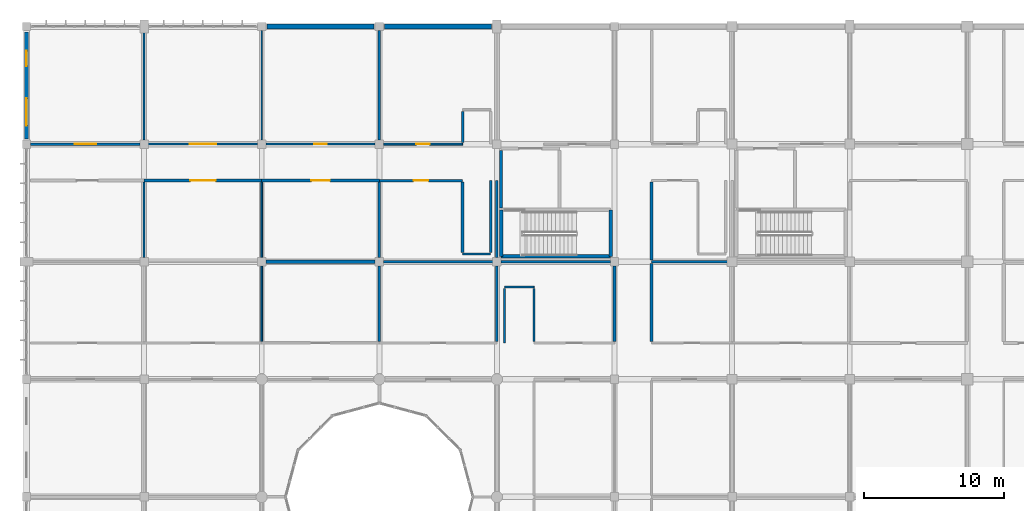
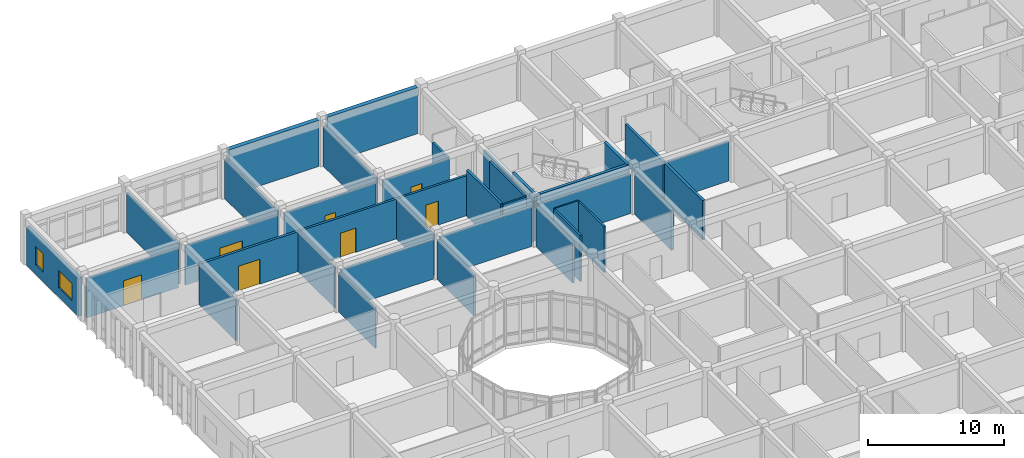
# One storey, part 109 of 144: 38 walls, 7 doors, 2 windows, 9 openings.
"""IFC4 building model written with IfcOpenShell, lengths in metres."""

from ifc_helpers import new_model, si_unit, direction, frame, frame_2d, origin, place, context, subcontext, project, spatial, rectangle, extrude, material, layer, layer_set, type_object, element, fill, save


model = new_model("IFC4")

# Units and contexts
model_context = context("Model", 3, precision=1e-05, world=origin(), true_north=direction((0.0, 1.0)))
body_context = subcontext(model_context, "Body", "Model", "MODEL_VIEW")
ifc_project = project(units=[si_unit("LENGTHUNIT", "METRE"), si_unit("AREAUNIT", "SQUARE_METRE"), si_unit("VOLUMEUNIT", "CUBIC_METRE"), si_unit("PLANEANGLEUNIT", "RADIAN"), si_unit("MASSUNIT", "GRAM", prefix="KILO")], contexts=[model_context])

# Site, building, storey
site_placement = place(None, origin())
site = spatial("IfcSite", under=ifc_project, at=site_placement, CompositionType="ELEMENT")
building_placement = place(site_placement, origin())
building = spatial("IfcBuilding", under=site, at=building_placement, Name="Bramfleet General Hospital", CompositionType="ELEMENT")
storey_placement = place(building_placement, frame((0.0, 0.0, 4.800048828125)))
storey = spatial("IfcBuildingStorey", under=building, at=storey_placement, Name="L01", CompositionType="ELEMENT", Elevation=4.800048828125)

# Walls
ifc_material_1 = material(Name="Concrete C35/45", Category="concrete")
ifc_layer_1 = layer(ifc_material_1, 0.360107421875, Name="WT-EW-02")
ifc_layer_set_1 = layer_set([ifc_layer_1], Name="Concrete C35/45")
wall_type_1 = type_object("IfcWallType", Name="WT-EW-02", PredefinedType="SOLIDWALL", material=ifc_layer_set_1)
wall_1_placement = place(storey_placement, frame((17.175048828125, 117.60009765625, 0.0), z_axis=(0.0, 0.0, 1.0), x_axis=(1.0, 0.0, 0.0)))
element("IfcWall", 1, at=wall_1_placement, inside=storey, type_object=wall_type_1, Name="L01 North REI 90-M Party Wall 158", PredefinedType="SOLIDWALL", context=body_context, shape_type="SweptSolid", body=[
    extrude(rectangle(XDim=7.64990234375, YDim=0.360107421875, at=frame_2d((3.824951171875, 0.0))), origin(), (0.0, 0.0, 1.0), 4.14990234375),
])
wall_2_placement = place(storey_placement, frame((25.574951171875, 117.60009765625, 0.0), z_axis=(0.0, 0.0, 1.0), x_axis=(1.0, 0.0, 0.0)))
element("IfcWall", 2, at=wall_2_placement, inside=storey, type_object=wall_type_1, Name="L01 North REI 90-M Party Wall 159", PredefinedType="SOLIDWALL", context=body_context, shape_type="SweptSolid", body=[
    extrude(rectangle(XDim=7.650146484375, YDim=0.360107421875, at=frame_2d((3.8251953125, 0.0))), origin(), (0.0, 0.0, 1.0), 4.14990234375),
])

# Wall, openings, windows
ifc_material_2 = material(Name="Precast concrete C40/50", Category="concrete")
ifc_layer_2 = layer(ifc_material_2, 0.294921875, Name="WT-EW-05")
ifc_layer_set_2 = layer_set([ifc_layer_2], Name="Precast concrete C40/50")
wall_type_2 = type_object("IfcWallType", Name="WT-EW-05", PredefinedType="SOLIDWALL", material=ifc_layer_set_2)
wall_3_placement = place(storey_placement, frame((0.0, 109.574951171875, 0.0), z_axis=(0.0, 0.0, 1.0), x_axis=(0.0, 1.0, 0.0)))
wall_3 = element("IfcWall", 3, at=wall_3_placement, inside=storey, type_object=wall_type_2, Name="L01 Exterior Wall 157", PredefinedType="SOLIDWALL", context=body_context, shape_type="SweptSolid", body=[
    extrude(rectangle(XDim=7.650146484375, YDim=0.294921875, at=frame_2d((3.8251953125, 0.0))), origin(), (0.0, 0.0, 1.0), 3.43994140625),
])
opening_1_placement = place(wall_3_placement, frame((0.9375, 0.0, 0.85009765625)))
opening_1 = element("IfcOpeningElement", 4, at=opening_1_placement, cuts=wall_3, Name="Opening W-30", PredefinedType="OPENING", context=body_context, shape_type="SweptSolid", body=[
    extrude(rectangle(XDim=1.949951171875, YDim=1.5400390625, at=frame_2d((0.97509765625, 0.77001953125))), frame((0.0, 0.157470703125, 0.0), z_axis=(0.0, -1.0, 0.0), x_axis=(1.0, 0.0, 0.0)), (0.0, 0.0, 1.0), 0.31494140625),
])
opening_2_placement = place(wall_3_placement, frame((5.1875, 0.0, 0.85009765625)))
opening_2 = element("IfcOpeningElement", 5, at=opening_2_placement, cuts=wall_3, Name="Opening W-31", PredefinedType="OPENING", context=body_context, shape_type="SweptSolid", body=[
    extrude(rectangle(XDim=1.10009765625, YDim=1.659912109375, at=frame_2d((0.550048828125, 0.830078125))), frame((0.0, 0.157470703125, 0.0), z_axis=(0.0, -1.0, 0.0), x_axis=(1.0, 0.0, 0.0)), (0.0, 0.0, 1.0), 0.31494140625),
])
ifc_material_3 = material(Name="Anodised aluminium and low-E triple glazing", Category="aluminium")
window_type_1 = type_object("IfcWindowType", Name="WIN-W-30", PartitioningType="SINGLE_PANEL", PredefinedType="WINDOW", material=ifc_material_3)
window_1_placement = place(opening_1_placement, origin())
window_1 = element("IfcWindow", 6, at=window_1_placement, inside=storey, type_object=window_type_1, Name="L01 Facade Window WIN-L01-157-1", OverallHeight=1.5400390625, OverallWidth=1.949951171875, PartitioningType="SINGLE_PANEL", PredefinedType="WINDOW", context=body_context, shape_type="SweptSolid", body=[
    extrude(rectangle(XDim=1.949951171875, YDim=1.5400390625, at=frame_2d((0.97509765625, 0.77001953125))), frame((0.0, 0.030029296875, 0.0), z_axis=(0.0, -1.0, 0.0), x_axis=(1.0, 0.0, 0.0)), (0.0, 0.0, 1.0), 0.06005859375),
])
fill(opening_1, window_1)
window_type_2 = type_object("IfcWindowType", Name="WIN-W-31", PartitioningType="SINGLE_PANEL", PredefinedType="WINDOW", material=ifc_material_3)
window_2_placement = place(opening_2_placement, origin())
window_2 = element("IfcWindow", 7, at=window_2_placement, inside=storey, type_object=window_type_2, Name="L01 Facade Window WIN-L01-157-2", OverallHeight=1.659912109375, OverallWidth=1.10009765625, PartitioningType="SINGLE_PANEL", PredefinedType="WINDOW", context=body_context, shape_type="SweptSolid", body=[
    extrude(rectangle(XDim=1.10009765625, YDim=1.659912109375, at=frame_2d((0.550048828125, 0.830078125))), frame((0.0, 0.030029296875, 0.0), z_axis=(0.0, -1.0, 0.0), x_axis=(1.0, 0.0, 0.0)), (0.0, 0.0, 1.0), 0.06005859375),
])
fill(opening_2, window_2)

# Walls
ifc_layer_3 = layer(ifc_material_1, 0.219970703125, Name="WT-IW-01")
ifc_layer_set_3 = layer_set([ifc_layer_3], Name="Concrete C35/45")
wall_type_3 = type_object("IfcWallType", Name="WT-IW-01", PredefinedType="PARTITIONING", material=ifc_layer_set_3)
wall_4_placement = place(storey_placement, frame((17.094970703125, 100.800048828125, 0.0), z_axis=(0.0, 0.0, 1.0), x_axis=(1.0, 0.0, 0.0)))
element("IfcWall", 8, at=wall_4_placement, inside=storey, type_object=wall_type_3, Name="L01 Interior Partition IW-L01-1513", PredefinedType="PARTITIONING", context=body_context, shape_type="SweptSolid", body=[
    extrude(rectangle(XDim=7.81005859375, YDim=0.219970703125, at=frame_2d((3.905029296875, 0.0))), origin(), (0.0, 0.0, 1.0), 3.5400390625),
])
wall_5_placement = place(storey_placement, frame((42.0, 95.114990234375, 0.0), z_axis=(0.0, 0.0, 1.0), x_axis=(0.0, 1.0, 0.0)))
element("IfcWall", 9, at=wall_5_placement, inside=storey, type_object=wall_type_3, Name="L01 Interior Partition IW-L01-1717", PredefinedType="PARTITIONING", context=body_context, shape_type="SweptSolid", body=[
    extrude(rectangle(XDim=5.389892578125, YDim=0.219970703125, at=frame_2d((2.69482421875, 0.0))), origin(), (0.0, 0.0, 1.0), 3.58984375),
])
wall_6_placement = place(storey_placement, frame((44.64990234375, 95.114990234375, 0.0), z_axis=(0.0, 0.0, 1.0), x_axis=(0.0, 1.0, 0.0)))
element("IfcWall", 10, at=wall_6_placement, inside=storey, type_object=wall_type_3, Name="L01 Interior Partition IW-L01-1729", PredefinedType="PARTITIONING", context=body_context, shape_type="SweptSolid", body=[
    extrude(rectangle(XDim=5.570068359375, YDim=0.219970703125, at=frame_2d((2.78515625, 0.0))), origin(), (0.0, 0.0, 1.0), 3.5400390625),
])
ifc_layer_4 = layer(ifc_material_1, 0.205078125, Name="WT-IW-02")
ifc_layer_set_4 = layer_set([ifc_layer_4], Name="Concrete C35/45")
wall_type_4 = type_object("IfcWallType", Name="WT-IW-02", PredefinedType="PARTITIONING", material=ifc_layer_set_4)
wall_7_placement = place(storey_placement, frame((33.89990234375, 104.639892578125, 0.0), z_axis=(0.0, 0.0, 1.0), x_axis=(0.0, 1.0, 0.0)))
element("IfcWall", 11, at=wall_7_placement, inside=storey, type_object=wall_type_4, Name="L01 C8 Lobby West Compartment Wall", PredefinedType="PARTITIONING", context=body_context, shape_type="SweptSolid", body=[
    extrude(rectangle(XDim=4.1201171875, YDim=0.205078125, at=frame_2d((2.06005859375, 0.0))), origin(), (0.0, 0.0, 1.0), 3.58984375),
])
wall_8_placement = place(storey_placement, frame((25.4951171875, 100.800048828125, 0.0), z_axis=(0.0, 0.0, 1.0), x_axis=(1.0, 0.0, 0.0)))
element("IfcWall", 12, at=wall_8_placement, inside=storey, type_object=wall_type_4, Name="L01 Interior Partition IW-L01-1514", PredefinedType="PARTITIONING", context=body_context, shape_type="SweptSolid", body=[
    extrude(rectangle(XDim=7.809814453125, YDim=0.205078125, at=frame_2d((3.90478515625, 0.0))), origin(), (0.0, 0.0, 1.0), 3.5400390625),
])

# Wall, opening, door
wall_9_placement = place(storey_placement, frame((8.39990234375, 106.60009765625, 0.0), z_axis=(0.0, 0.0, 1.0), x_axis=(1.0, 0.0, 0.0)))
wall_9 = element("IfcWall", 13, at=wall_9_placement, inside=storey, type_object=wall_type_4, Name="L01 Interior Partition IW-L01-1538", PredefinedType="PARTITIONING", context=body_context, shape_type="SweptSolid", body=[
    extrude(rectangle(XDim=8.400146484375, YDim=0.205078125, at=frame_2d((4.2001953125, 0.0))), origin(), (0.0, 0.0, 1.0), 3.58984375),
])
opening_3_placement = place(wall_9_placement, frame((3.300048828125, 0.0, 0.0)))
opening_3 = element("IfcOpeningElement", 14, at=opening_3_placement, cuts=wall_9, Name="Opening D0645", PredefinedType="OPENING", context=body_context, shape_type="SweptSolid", body=[
    extrude(rectangle(XDim=1.800048828125, YDim=2.25, at=frame_2d((0.89990234375, 1.125))), frame((0.0, 0.112548828125, 0.0), z_axis=(0.0, -1.0, 0.0), x_axis=(1.0, 0.0, 0.0)), (0.0, 0.0, 1.0), 0.22509765625),
])
ifc_material_4 = material(Name="Stainless steel and acoustic timber leaf", Category="steel")
door_type_1 = type_object("IfcDoorType", Name="DR-D-05", OperationType="NOTDEFINED", PredefinedType="DOOR", material=ifc_material_4)
door_1_placement = place(opening_3_placement, origin())
door_1 = element("IfcDoor", 15, at=door_1_placement, inside=storey, type_object=door_type_1, Name="Endoscopy and Day Surgery Procedure Room L01-0112 Door D0645", OperationType="DOUBLE_SWING_RIGHT", OverallHeight=2.25, OverallWidth=1.800048828125, PredefinedType="DOOR", context=body_context, shape_type="SweptSolid", body=[
    extrude(rectangle(XDim=1.800048828125, YDim=2.25, at=frame_2d((0.89990234375, 1.125))), frame((0.0, 0.02490234375, 0.0), z_axis=(0.0, -1.0, 0.0), x_axis=(1.0, 0.0, 0.0)), (0.0, 0.0, 1.0), 0.050048828125),
])
fill(opening_3, door_1)

# Walls
wall_10_placement = place(storey_placement, frame((31.14990234375, 101.465087890625, 0.0), z_axis=(0.0, 0.0, 1.0), x_axis=(0.0, 1.0, 0.0)))
element("IfcWall", 16, at=wall_10_placement, inside=storey, type_object=wall_type_4, Name="L01 Interior Partition IW-L01-1670", PredefinedType="PARTITIONING", context=body_context, shape_type="SweptSolid", body=[
    extrude(rectangle(XDim=5.02001953125, YDim=0.205078125, at=frame_2d((2.510009765625, 0.0))), origin(), (0.0, 0.0, 1.0), 4.139892578125),
])
wall_11_placement = place(storey_placement, frame((44.64990234375, 100.9150390625, 0.0), z_axis=(0.0, 0.0, 1.0), x_axis=(0.0, 1.0, 0.0)))
element("IfcWall", 17, at=wall_11_placement, inside=storey, type_object=wall_type_4, Name="L01 Interior Partition IW-L01-1730", PredefinedType="PARTITIONING", context=body_context, shape_type="SweptSolid", body=[
    extrude(rectangle(XDim=5.570068359375, YDim=0.205078125, at=frame_2d((2.78515625, 0.0))), origin(), (0.0, 0.0, 1.0), 3.5400390625),
])
ifc_layer_5 = layer(ifc_material_1, 0.18994140625, Name="WT-IW-03")
ifc_layer_set_5 = layer_set([ifc_layer_5], Name="Concrete C35/45")
wall_type_5 = type_object("IfcWallType", Name="WT-IW-03", PredefinedType="PARTITIONING", material=ifc_layer_set_5)
wall_12_placement = place(storey_placement, frame((33.89501953125, 100.800048828125, 0.0), z_axis=(0.0, 0.0, 1.0), x_axis=(1.0, 0.0, 0.0)))
element("IfcWall", 18, at=wall_12_placement, inside=storey, type_object=wall_type_5, Name="L01 Interior Partition IW-L01-1515", PredefinedType="PARTITIONING", context=body_context, shape_type="SweptSolid", body=[
    extrude(rectangle(XDim=7.81005859375, YDim=0.18994140625, at=frame_2d((3.905029296875, 0.0))), origin(), (0.0, 0.0, 1.0), 3.5400390625),
])

# Wall, opening, door
wall_13_placement = place(storey_placement, frame((16.800048828125, 106.60009765625, 0.0), z_axis=(0.0, 0.0, 1.0), x_axis=(1.0, 0.0, 0.0)))
wall_13 = element("IfcWall", 19, at=wall_13_placement, inside=storey, type_object=wall_type_5, Name="L01 Interior Partition IW-L01-1539", PredefinedType="PARTITIONING", context=body_context, shape_type="SweptSolid", body=[
    extrude(rectangle(XDim=8.39990234375, YDim=0.18994140625, at=frame_2d((4.199951171875, 0.0))), origin(), (0.0, 0.0, 1.0), 3.58984375),
])
opening_4_placement = place(wall_13_placement, frame((3.5400390625, 0.0, 0.0)))
opening_4 = element("IfcOpeningElement", 20, at=opening_4_placement, cuts=wall_13, Name="Opening D0664", PredefinedType="OPENING", context=body_context, shape_type="SweptSolid", body=[
    extrude(rectangle(XDim=1.320068359375, YDim=2.179931640625, at=frame_2d((0.66015625, 1.08984375))), frame((0.0, 0.10498046875, 0.0), z_axis=(0.0, -1.0, 0.0), x_axis=(1.0, 0.0, 0.0)), (0.0, 0.0, 1.0), 0.2099609375),
])
door_type_2 = type_object("IfcDoorType", Name="DR-D-24", OperationType="NOTDEFINED", PredefinedType="DOOR", material=ifc_material_4)
door_2_placement = place(opening_4_placement, origin())
door_2 = element("IfcDoor", 21, at=door_2_placement, inside=storey, type_object=door_type_2, Name="Endoscopy and Day Surgery Procedure Room L01-0212 Door D0664", OperationType="SINGLE_SWING_LEFT", OverallHeight=2.179931640625, OverallWidth=1.320068359375, PredefinedType="DOOR", context=body_context, shape_type="SweptSolid", body=[
    extrude(rectangle(XDim=1.320068359375, YDim=2.179931640625, at=frame_2d((0.66015625, 1.08984375))), frame((0.0, 0.02490234375, 0.0), z_axis=(0.0, -1.0, 0.0), x_axis=(1.0, 0.0, 0.0)), (0.0, 0.0, 1.0), 0.050048828125),
])
fill(opening_4, door_2)

# Walls
wall_14_placement = place(storey_placement, frame((25.199951171875, 95.114990234375, 0.0), z_axis=(0.0, 0.0, 1.0), x_axis=(0.0, 1.0, 0.0)))
element("IfcWall", 22, at=wall_14_placement, inside=storey, type_object=wall_type_5, Name="L01 Interior Partition IW-L01-1659", PredefinedType="PARTITIONING", context=body_context, shape_type="SweptSolid", body=[
    extrude(rectangle(XDim=5.389892578125, YDim=0.18994140625, at=frame_2d((2.69482421875, 0.0))), origin(), (0.0, 0.0, 1.0), 3.58984375),
])
wall_15_placement = place(storey_placement, frame((31.14990234375, 109.31494140625, 0.0), z_axis=(0.0, 0.0, 1.0), x_axis=(0.0, 1.0, 0.0)))
element("IfcWall", 23, at=wall_15_placement, inside=storey, type_object=wall_type_5, Name="L01 Interior Partition IW-L01-1671", PredefinedType="PARTITIONING", context=body_context, shape_type="SweptSolid", body=[
    extrude(rectangle(XDim=2.219970703125, YDim=0.18994140625, at=frame_2d((1.10986328125, 0.0))), origin(), (0.0, 0.0, 1.0), 3.5400390625),
])
ifc_layer_6 = layer(ifc_material_1, 0.179931640625, Name="WT-IW-04")
ifc_layer_set_6 = layer_set([ifc_layer_6], Name="Concrete C35/45")
wall_type_6 = type_object("IfcWallType", Name="WT-IW-04", PredefinedType="PARTITIONING", material=ifc_layer_set_6)
wall_16_placement = place(storey_placement, frame((44.64990234375, 100.800048828125, 0.0), z_axis=(0.0, 0.0, 1.0), x_axis=(1.0, 0.0, 0.0)))
element("IfcWall", 24, at=wall_16_placement, inside=storey, type_object=wall_type_6, Name="L01 Interior Partition IW-L01-1516", PredefinedType="PARTITIONING", context=body_context, shape_type="SweptSolid", body=[
    extrude(rectangle(XDim=5.405029296875, YDim=0.179931640625, at=frame_2d((2.70263671875, 0.0))), origin(), (0.0, 0.0, 1.0), 3.5400390625),
])

# Wall, opening, door
wall_17_placement = place(storey_placement, frame((25.199951171875, 106.60009765625, 0.0), z_axis=(0.0, 0.0, 1.0), x_axis=(1.0, 0.0, 0.0)))
wall_17 = element("IfcWall", 25, at=wall_17_placement, inside=storey, type_object=wall_type_6, Name="L01 Interior Partition IW-L01-1540", PredefinedType="PARTITIONING", context=body_context, shape_type="SweptSolid", body=[
    extrude(rectangle(XDim=5.949951171875, YDim=0.179931640625, at=frame_2d((2.97509765625, 0.0))), origin(), (0.0, 0.0, 1.0), 3.58984375),
])
opening_5_placement = place(wall_17_placement, frame((2.449951171875, 0.0, 0.0)))
opening_5 = element("IfcOpeningElement", 26, at=opening_5_placement, cuts=wall_17, Name="Opening D0681", PredefinedType="OPENING", context=body_context, shape_type="SweptSolid", body=[
    extrude(rectangle(XDim=1.050048828125, YDim=2.14990234375, at=frame_2d((0.52490234375, 1.074951171875))), frame((0.0, 0.099853515625, 0.0), z_axis=(0.0, -1.0, 0.0), x_axis=(1.0, 0.0, 0.0)), (0.0, 0.0, 1.0), 0.199951171875),
])
door_type_3 = type_object("IfcDoorType", Name="DR-D-09", OperationType="NOTDEFINED", PredefinedType="DOOR", material=ifc_material_4)
door_3_placement = place(opening_5_placement, origin())
door_3 = element("IfcDoor", 27, at=door_3_placement, inside=storey, type_object=door_type_3, Name="Endoscopy and Day Surgery Procedure Room L01-0312 Door D0681", OperationType="SINGLE_SWING_RIGHT", OverallHeight=2.14990234375, OverallWidth=1.050048828125, PredefinedType="DOOR", context=body_context, shape_type="SweptSolid", body=[
    extrude(rectangle(XDim=1.050048828125, YDim=2.14990234375, at=frame_2d((0.52490234375, 1.074951171875))), frame((0.0, 0.02490234375, 0.0), z_axis=(0.0, -1.0, 0.0), x_axis=(1.0, 0.0, 0.0)), (0.0, 0.0, 1.0), 0.050048828125),
])
fill(opening_5, door_3)

# Walls
wall_18_placement = place(storey_placement, frame((25.199951171875, 101.094970703125, 0.0), z_axis=(0.0, 0.0, 1.0), x_axis=(0.0, 1.0, 0.0)))
element("IfcWall", 28, at=wall_18_placement, inside=storey, type_object=wall_type_6, Name="L01 Interior Partition IW-L01-1660", PredefinedType="PARTITIONING", context=body_context, shape_type="SweptSolid", body=[
    extrude(rectangle(XDim=5.39013671875, YDim=0.179931640625, at=frame_2d((2.695068359375, 0.0))), origin(), (0.0, 0.0, 1.0), 3.58984375),
])
wall_19_placement = place(storey_placement, frame((33.14990234375, 101.465087890625, 0.0), z_axis=(0.0, 0.0, 1.0), x_axis=(0.0, 1.0, 0.0)))
element("IfcWall", 29, at=wall_19_placement, inside=storey, type_object=wall_type_6, Name="L01 Interior Partition IW-L01-1672", PredefinedType="PARTITIONING", context=body_context, shape_type="SweptSolid", body=[
    extrude(rectangle(XDim=5.135009765625, YDim=0.179931640625, at=frame_2d((2.5673828125, 0.0))), origin(), (0.0, 0.0, 1.0), 4.139892578125),
])
wall_20_placement = place(storey_placement, frame((33.60009765625, 95.114990234375, 0.0), z_axis=(0.0, 0.0, 1.0), x_axis=(0.0, 1.0, 0.0)))
element("IfcWall", 30, at=wall_20_placement, inside=storey, type_object=wall_type_6, Name="L01 Interior Partition IW-L01-1684", PredefinedType="PARTITIONING", context=body_context, shape_type="SweptSolid", body=[
    extrude(rectangle(XDim=5.389892578125, YDim=0.179931640625, at=frame_2d((2.69482421875, 0.0))), origin(), (0.0, 0.0, 1.0), 3.58984375),
])

# Wall, opening, door
ifc_material_5 = material(Name="Gypsum plasterboard on acoustic steel studs", Category="steel")
ifc_layer_7 = layer(ifc_material_5, 0.169921875, Name="WT-IW-05")
ifc_layer_set_7 = layer_set([ifc_layer_7], Name="Gypsum plasterboard on acoustic steel studs")
wall_type_7 = type_object("IfcWallType", Name="WT-IW-05", PredefinedType="PARTITIONING", material=ifc_layer_set_7)
wall_21_placement = place(storey_placement, frame((0.294921875, 109.199951171875, 0.0), z_axis=(0.0, 0.0, 1.0), x_axis=(1.0, 0.0, 0.0)))
wall_21 = element("IfcWall", 31, at=wall_21_placement, inside=storey, type_object=wall_type_7, Name="L01 Interior Partition IW-L01-1553", PredefinedType="PARTITIONING", context=body_context, shape_type="SweptSolid", body=[
    extrude(rectangle(XDim=7.81005859375, YDim=0.169921875, at=frame_2d((3.905029296875, 0.0))), origin(), (0.0, 0.0, 1.0), 3.5400390625),
])
opening_6_placement = place(wall_21_placement, frame((3.135009765625, 0.0, 0.0)))
opening_6 = element("IfcOpeningElement", 32, at=opening_6_placement, cuts=wall_21, Name="Opening D0625", PredefinedType="OPENING", context=body_context, shape_type="SweptSolid", body=[
    extrude(rectangle(XDim=1.5400390625, YDim=2.239990234375, at=frame_2d((0.77001953125, 1.1201171875))), frame((0.0, 0.094970703125, 0.0), z_axis=(0.0, -1.0, 0.0), x_axis=(1.0, 0.0, 0.0)), (0.0, 0.0, 1.0), 0.18994140625),
])
door_type_4 = type_object("IfcDoorType", Name="DR-D-17", OperationType="NOTDEFINED", PredefinedType="DOOR", material=ifc_material_4)
door_4_placement = place(opening_6_placement, origin())
door_4 = element("IfcDoor", 33, at=door_4_placement, inside=storey, type_object=door_type_4, Name="Endoscopy and Day Surgery Procedure Room L01-0013 Door D0625", OperationType="SINGLE_SWING_RIGHT", OverallHeight=2.239990234375, OverallWidth=1.5400390625, PredefinedType="DOOR", context=body_context, shape_type="SweptSolid", body=[
    extrude(rectangle(XDim=1.5400390625, YDim=2.239990234375, at=frame_2d((0.77001953125, 1.1201171875))), frame((0.0, 0.02490234375, 0.0), z_axis=(0.0, -1.0, 0.0), x_axis=(1.0, 0.0, 0.0)), (0.0, 0.0, 1.0), 0.050048828125),
])
fill(opening_6, door_4)

# Walls
wall_22_placement = place(storey_placement, frame((25.199951171875, 109.4951171875, 0.0), z_axis=(0.0, 0.0, 1.0), x_axis=(0.0, 1.0, 0.0)))
element("IfcWall", 34, at=wall_22_placement, inside=storey, type_object=wall_type_7, Name="L01 Interior Partition IW-L01-1661", PredefinedType="PARTITIONING", context=body_context, shape_type="SweptSolid", body=[
    extrude(rectangle(XDim=7.809814453125, YDim=0.169921875, at=frame_2d((3.90478515625, 0.0))), origin(), (0.0, 0.0, 1.0), 3.58984375),
])
wall_23_placement = place(storey_placement, frame((33.60009765625, 101.094970703125, 0.0), z_axis=(0.0, 0.0, 1.0), x_axis=(0.0, 1.0, 0.0)))
element("IfcWall", 35, at=wall_23_placement, inside=storey, type_object=wall_type_7, Name="L01 Interior Partition IW-L01-1685", PredefinedType="PARTITIONING", context=body_context, shape_type="SweptSolid", body=[
    extrude(rectangle(XDim=5.505126953125, YDim=0.169921875, at=frame_2d((2.75244140625, 0.0))), origin(), (0.0, 0.0, 1.0), 3.58984375),
])

# Wall, opening, door
ifc_layer_8 = layer(ifc_material_5, 0.159912109375, Name="WT-IW-06")
ifc_layer_set_8 = layer_set([ifc_layer_8], Name="Gypsum plasterboard on acoustic steel studs")
wall_type_8 = type_object("IfcWallType", Name="WT-IW-06", PredefinedType="PARTITIONING", material=ifc_layer_set_8)
wall_24_placement = place(storey_placement, frame((8.695068359375, 109.199951171875, 0.0), z_axis=(0.0, 0.0, 1.0), x_axis=(1.0, 0.0, 0.0)))
wall_24 = element("IfcWall", 36, at=wall_24_placement, inside=storey, type_object=wall_type_8, Name="L01 Interior Partition IW-L01-1554", PredefinedType="PARTITIONING", context=body_context, shape_type="SweptSolid", body=[
    extrude(rectangle(XDim=7.809814453125, YDim=0.159912109375, at=frame_2d((3.90478515625, 0.0))), origin(), (0.0, 0.0, 1.0), 3.5400390625),
])
opening_7_placement = place(wall_24_placement, frame((2.955078125, 0.0, 0.0)))
opening_7 = element("IfcOpeningElement", 37, at=opening_7_placement, cuts=wall_24, Name="Opening D0646", PredefinedType="OPENING", context=body_context, shape_type="SweptSolid", body=[
    extrude(rectangle(XDim=1.89990234375, YDim=2.300048828125, at=frame_2d((0.949951171875, 1.14990234375))), frame((0.0, 0.08984375, 0.0), z_axis=(0.0, -1.0, 0.0), x_axis=(1.0, 0.0, 0.0)), (0.0, 0.0, 1.0), 0.179931640625),
])
door_type_5 = type_object("IfcDoorType", Name="DR-D-06", OperationType="NOTDEFINED", PredefinedType="DOOR", material=ifc_material_4)
door_5_placement = place(opening_7_placement, origin())
door_5 = element("IfcDoor", 38, at=door_5_placement, inside=storey, type_object=door_type_5, Name="Endoscopy and Day Surgery Procedure Room L01-0113 Door D0646", OperationType="DOUBLE_SWING_LEFT", OverallHeight=2.300048828125, OverallWidth=1.89990234375, PredefinedType="DOOR", context=body_context, shape_type="SweptSolid", body=[
    extrude(rectangle(XDim=1.89990234375, YDim=2.300048828125, at=frame_2d((0.949951171875, 1.14990234375))), frame((0.0, 0.02490234375, 0.0), z_axis=(0.0, -1.0, 0.0), x_axis=(1.0, 0.0, 0.0)), (0.0, 0.0, 1.0), 0.050048828125),
])
fill(opening_7, door_5)

# Walls
wall_25_placement = place(storey_placement, frame((8.39990234375, 101.094970703125, 0.0), z_axis=(0.0, 0.0, 1.0), x_axis=(0.0, 1.0, 0.0)))
element("IfcWall", 39, at=wall_25_placement, inside=storey, type_object=wall_type_8, Name="L01 Interior Partition IW-L01-1602", PredefinedType="PARTITIONING", context=body_context, shape_type="SweptSolid", body=[
    extrude(rectangle(XDim=5.39013671875, YDim=0.159912109375, at=frame_2d((2.695068359375, 0.0))), origin(), (0.0, 0.0, 1.0), 3.58984375),
])
ifc_layer_9 = layer(ifc_material_5, 0.14990234375, Name="WT-IW-07")
ifc_layer_set_9 = layer_set([ifc_layer_9], Name="Gypsum plasterboard on acoustic steel studs")
wall_type_9 = type_object("IfcWallType", Name="WT-IW-07", PredefinedType="PARTITIONING", material=ifc_layer_set_9)
wall_26_placement = place(storey_placement, frame((31.14990234375, 101.35009765625, 0.0), z_axis=(0.0, 0.0, 1.0), x_axis=(1.0, 0.0, 0.0)))
element("IfcWall", 40, at=wall_26_placement, inside=storey, type_object=wall_type_9, Name="L01 Interior Partition IW-L01-1531", PredefinedType="PARTITIONING", context=body_context, shape_type="SweptSolid", body=[
    extrude(rectangle(XDim=2.0, YDim=0.14990234375, at=frame_2d((1.0, 0.0))), origin(), (0.0, 0.0, 1.0), 4.139892578125),
])

# Wall, opening, door
wall_27_placement = place(storey_placement, frame((17.094970703125, 109.199951171875, 0.0), z_axis=(0.0, 0.0, 1.0), x_axis=(1.0, 0.0, 0.0)))
wall_27 = element("IfcWall", 41, at=wall_27_placement, inside=storey, type_object=wall_type_9, Name="L01 Interior Partition IW-L01-1555", PredefinedType="PARTITIONING", context=body_context, shape_type="SweptSolid", body=[
    extrude(rectangle(XDim=7.81005859375, YDim=0.14990234375, at=frame_2d((3.905029296875, 0.0))), origin(), (0.0, 0.0, 1.0), 3.5400390625),
])
opening_8_placement = place(wall_27_placement, frame((3.445068359375, 0.0, 0.0)))
opening_8 = element("IfcOpeningElement", 42, at=opening_8_placement, cuts=wall_27, Name="Opening D0665", PredefinedType="OPENING", context=body_context, shape_type="SweptSolid", body=[
    extrude(rectangle(XDim=0.919921875, YDim=2.080078125, at=frame_2d((0.4599609375, 1.0400390625))), frame((0.0, 0.0849609375, 0.0), z_axis=(0.0, -1.0, 0.0), x_axis=(1.0, 0.0, 0.0)), (0.0, 0.0, 1.0), 0.169921875),
])
door_type_6 = type_object("IfcDoorType", Name="DR-D-25", OperationType="NOTDEFINED", PredefinedType="DOOR", material=ifc_material_4)
door_6_placement = place(opening_8_placement, origin())
door_6 = element("IfcDoor", 43, at=door_6_placement, inside=storey, type_object=door_type_6, Name="Endoscopy and Day Surgery Procedure Room L01-0213 Door D0665", OperationType="SINGLE_SWING_RIGHT", OverallHeight=2.080078125, OverallWidth=0.919921875, PredefinedType="DOOR", context=body_context, shape_type="SweptSolid", body=[
    extrude(rectangle(XDim=0.919921875, YDim=2.080078125, at=frame_2d((0.4599609375, 1.0400390625))), frame((0.0, 0.02490234375, 0.0), z_axis=(0.0, -1.0, 0.0), x_axis=(1.0, 0.0, 0.0)), (0.0, 0.0, 1.0), 0.050048828125),
])
fill(opening_8, door_6)

# Walls
wall_28_placement = place(storey_placement, frame((8.39990234375, 109.4951171875, 0.0), z_axis=(0.0, 0.0, 1.0), x_axis=(0.0, 1.0, 0.0)))
element("IfcWall", 44, at=wall_28_placement, inside=storey, type_object=wall_type_9, Name="L01 Interior Partition IW-L01-1603", PredefinedType="PARTITIONING", context=body_context, shape_type="SweptSolid", body=[
    extrude(rectangle(XDim=7.659912109375, YDim=0.14990234375, at=frame_2d((3.830078125, 0.0))), origin(), (0.0, 0.0, 1.0), 3.58984375),
])
wall_29_placement = place(storey_placement, frame((34.14990234375, 95.0, 0.0), z_axis=(0.0, 0.0, 1.0), x_axis=(0.0, 1.0, 0.0)))
element("IfcWall", 45, at=wall_29_placement, inside=storey, type_object=wall_type_9, Name="L01 Interior Partition IW-L01-1687", PredefinedType="PARTITIONING", context=body_context, shape_type="SweptSolid", body=[
    extrude(rectangle(XDim=3.885009765625, YDim=0.14990234375, at=frame_2d((1.9423828125, 0.0))), origin(), (0.0, 0.0, 1.0), 4.139892578125),
])
wall_30_placement = place(storey_placement, frame((36.25, 95.114990234375, 0.0), z_axis=(0.0, 0.0, 1.0), x_axis=(0.0, 1.0, 0.0)))
element("IfcWall", 46, at=wall_30_placement, inside=storey, type_object=wall_type_9, Name="L01 Interior Partition IW-L01-1699", PredefinedType="PARTITIONING", context=body_context, shape_type="SweptSolid", body=[
    extrude(rectangle(XDim=3.77001953125, YDim=0.14990234375, at=frame_2d((1.885009765625, 0.0))), origin(), (0.0, 0.0, 1.0), 4.139892578125),
])

# Wall, opening, door
ifc_layer_10 = layer(ifc_material_5, 0.139892578125, Name="WT-IW-08")
ifc_layer_set_10 = layer_set([ifc_layer_10], Name="Gypsum plasterboard on acoustic steel studs")
wall_type_10 = type_object("IfcWallType", Name="WT-IW-08", PredefinedType="PARTITIONING", material=ifc_layer_set_10)
wall_31_placement = place(storey_placement, frame((25.4951171875, 109.199951171875, 0.0), z_axis=(0.0, 0.0, 1.0), x_axis=(1.0, 0.0, 0.0)))
wall_31 = element("IfcWall", 47, at=wall_31_placement, inside=storey, type_object=wall_type_10, Name="L01 Interior Partition IW-L01-1556", PredefinedType="PARTITIONING", context=body_context, shape_type="SweptSolid", body=[
    extrude(rectangle(XDim=5.65478515625, YDim=0.139892578125, at=frame_2d((2.827392578125, 0.0))), origin(), (0.0, 0.0, 1.0), 3.5400390625),
])
opening_9_placement = place(wall_31_placement, frame((2.3525390625, 0.0, 0.0)))
opening_9 = element("IfcOpeningElement", 48, at=opening_9_placement, cuts=wall_31, Name="Opening D0682", PredefinedType="OPENING", context=body_context, shape_type="SweptSolid", body=[
    extrude(rectangle(XDim=0.949951171875, YDim=2.10009765625, at=frame_2d((0.47509765625, 1.050048828125))), frame((0.0, 0.079833984375, 0.0), z_axis=(0.0, -1.0, 0.0), x_axis=(1.0, 0.0, 0.0)), (0.0, 0.0, 1.0), 0.159912109375),
])
door_type_7 = type_object("IfcDoorType", Name="DR-D-10", OperationType="NOTDEFINED", PredefinedType="DOOR", material=ifc_material_4)
door_7_placement = place(opening_9_placement, origin())
door_7 = element("IfcDoor", 49, at=door_7_placement, inside=storey, type_object=door_type_7, Name="Endoscopy and Day Surgery Procedure Room L01-0313 Door D0682", OperationType="SINGLE_SWING_LEFT", OverallHeight=2.10009765625, OverallWidth=0.949951171875, PredefinedType="DOOR", context=body_context, shape_type="SweptSolid", body=[
    extrude(rectangle(XDim=0.949951171875, YDim=2.10009765625, at=frame_2d((0.47509765625, 1.050048828125))), frame((0.0, 0.02490234375, 0.0), z_axis=(0.0, -1.0, 0.0), x_axis=(1.0, 0.0, 0.0)), (0.0, 0.0, 1.0), 0.050048828125),
])
fill(opening_9, door_7)

# Walls
ifc_layer_11 = layer(ifc_material_5, 0.1201171875, Name="WT-IW-10")
ifc_layer_set_11 = layer_set([ifc_layer_11], Name="Gypsum plasterboard on acoustic steel studs")
wall_type_11 = type_object("IfcWallType", Name="WT-IW-10", PredefinedType="PARTITIONING", material=ifc_layer_set_11)
wall_32_placement = place(storey_placement, frame((34.14990234375, 99.0, 0.0), z_axis=(0.0, 0.0, 1.0), x_axis=(1.0, 0.0, 0.0)))
element("IfcWall", 50, at=wall_32_placement, inside=storey, type_object=wall_type_11, Name="L01 Interior Partition IW-L01-1510", PredefinedType="PARTITIONING", context=body_context, shape_type="SweptSolid", body=[
    extrude(rectangle(XDim=2.10009765625, YDim=0.1201171875, at=frame_2d((1.050048828125, 0.0))), origin(), (0.0, 0.0, 1.0), 4.139892578125),
])
wall_33_placement = place(storey_placement, frame((16.800048828125, 95.114990234375, 0.0), z_axis=(0.0, 0.0, 1.0), x_axis=(0.0, 1.0, 0.0)))
element("IfcWall", 51, at=wall_33_placement, inside=storey, type_object=wall_type_11, Name="L01 Interior Partition IW-L01-1630", PredefinedType="PARTITIONING", context=body_context, shape_type="SweptSolid", body=[
    extrude(rectangle(XDim=5.389892578125, YDim=0.1201171875, at=frame_2d((2.69482421875, 0.0))), origin(), (0.0, 0.0, 1.0), 3.58984375),
])
ifc_layer_12 = layer(ifc_material_5, 0.112060546875, Name="WT-IW-11")
ifc_layer_set_12 = layer_set([ifc_layer_12], Name="Gypsum plasterboard on acoustic steel studs")
wall_type_12 = type_object("IfcWallType", Name="WT-IW-11", PredefinedType="PARTITIONING", material=ifc_layer_set_12)
wall_34_placement = place(storey_placement, frame((16.800048828125, 101.094970703125, 0.0), z_axis=(0.0, 0.0, 1.0), x_axis=(0.0, 1.0, 0.0)))
element("IfcWall", 52, at=wall_34_placement, inside=storey, type_object=wall_type_12, Name="L01 Interior Partition IW-L01-1631", PredefinedType="PARTITIONING", context=body_context, shape_type="SweptSolid", body=[
    extrude(rectangle(XDim=5.39013671875, YDim=0.112060546875, at=frame_2d((2.695068359375, 0.0))), origin(), (0.0, 0.0, 1.0), 3.58984375),
])
ifc_layer_13 = layer(ifc_material_5, 0.10009765625, Name="WT-IW-12")
ifc_layer_set_13 = layer_set([ifc_layer_13], Name="Gypsum plasterboard on acoustic steel studs")
wall_type_13 = type_object("IfcWallType", Name="WT-IW-12", PredefinedType="PARTITIONING", material=ifc_layer_set_13)
wall_35_placement = place(storey_placement, frame((16.800048828125, 109.4951171875, 0.0), z_axis=(0.0, 0.0, 1.0), x_axis=(0.0, 1.0, 0.0)))
element("IfcWall", 53, at=wall_35_placement, inside=storey, type_object=wall_type_13, Name="L01 Interior Partition IW-L01-1632", PredefinedType="PARTITIONING", context=body_context, shape_type="SweptSolid", body=[
    extrude(rectangle(XDim=7.809814453125, YDim=0.10009765625, at=frame_2d((3.90478515625, 0.0))), origin(), (0.0, 0.0, 1.0), 3.58984375),
])
ifc_material_6 = material(Name="Concrete C40/50", Category="concrete")
ifc_layer_14 = layer(ifc_material_6, 0.239990234375, Name="WT-SW-240")
ifc_layer_set_14 = layer_set([ifc_layer_14], Name="Concrete C40/50")
wall_type_14 = type_object("IfcWallType", Name="WT-SW-240", PredefinedType="SHEAR", material=ifc_layer_set_14)
wall_36_placement = place(storey_placement, frame((33.89990234375, 101.179931640625, 0.0), z_axis=(0.0, 0.0, 1.0), x_axis=(1.0, 0.0, 0.0)))
element("IfcWall", 54, at=wall_36_placement, inside=storey, type_object=wall_type_14, Name="L01 C8 South Stair Shear Wall", PredefinedType="SHEAR", context=body_context, shape_type="SweptSolid", body=[
    extrude(rectangle(XDim=7.820068359375, YDim=0.239990234375, at=frame_2d((3.91015625, 0.0))), origin(), (0.0, 0.0, 1.0), 4.14990234375),
])
for number, where, z_axis, x_axis, name in (
    (55, (33.89990234375, 101.179931640625, 0.0), (0.0, 0.0, 1.0), (0.0, 1.0, 0.0), "L01 C8 West Stair Shear Wall"),
    (56, (41.719970703125, 101.179931640625, 0.0), (0.0, 0.0, 1.0), (0.0, 1.0, 0.0), "L01 C8 East Stair Shear Wall"),
):
    element("IfcWall", number, at=place(storey_placement, frame(where, z_axis=z_axis, x_axis=x_axis)), inside=storey, type_object=wall_type_14, Name=name, PredefinedType="SHEAR", context=body_context, shape_type="SweptSolid", body=[
        extrude(rectangle(XDim=3.320068359375, YDim=0.239990234375, at=frame_2d((1.66015625, 0.0))), origin(), (0.0, 0.0, 1.0), 4.14990234375),
    ])

save(model, "model.ifc")
